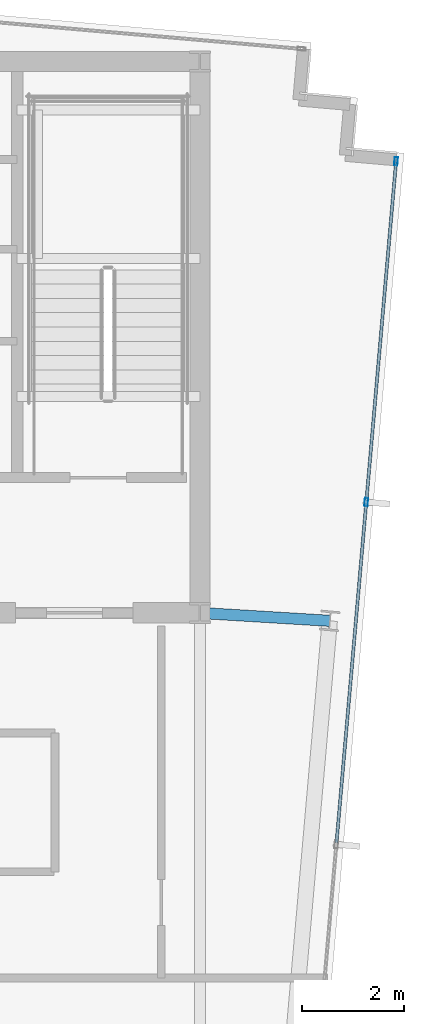
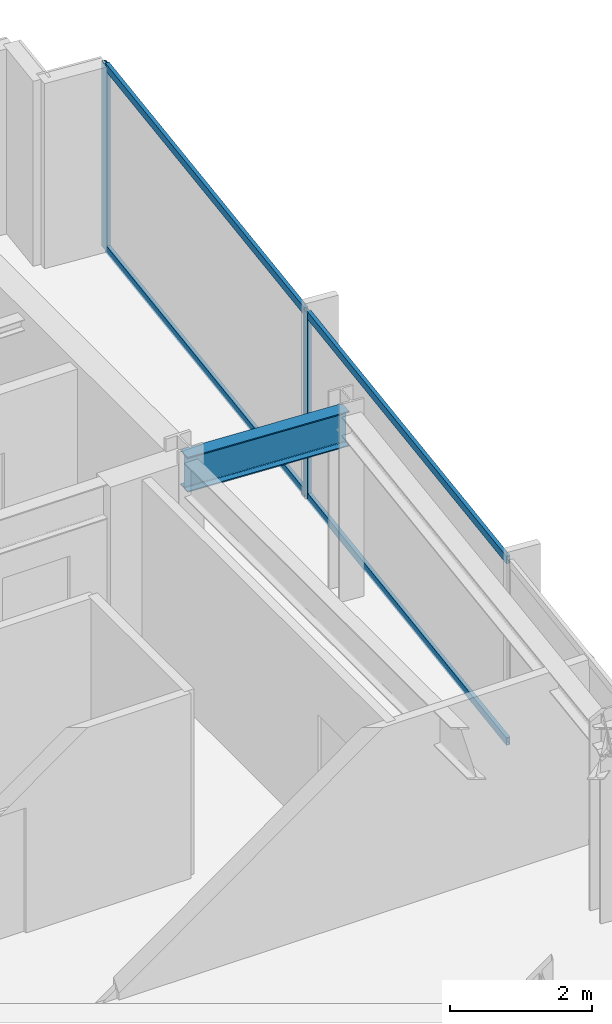
# One storey, part 21 of 32: 6 members, 1 beam, 1 element without a shape of its own.
"""IFC4 building model written with IfcOpenShell, lengths in metres."""

from ifc_helpers import new_model, si_unit, direction, frame, origin, origin_2d, place, context, subcontext, project, spatial, hollow_rectangle, i_section, extrude, material, material_profile, profile_set, type_object, element, aggregate, save


model = new_model("IFC4")

# Units and contexts
model_context = context("Model", 3, precision=1e-05, world=origin(), true_north=direction((0.0, 1.0)))
body_context = subcontext(model_context, "Body", "Model", "MODEL_VIEW")
ifc_project = project(units=[si_unit("LENGTHUNIT", "METRE"), si_unit("AREAUNIT", "SQUARE_METRE"), si_unit("VOLUMEUNIT", "CUBIC_METRE"), si_unit("PLANEANGLEUNIT", "RADIAN"), si_unit("MASSUNIT", "GRAM", prefix="KILO")], contexts=[model_context])

# Site, building, storey
site_placement = place(None, origin())
site = spatial("IfcSite", under=ifc_project, at=site_placement, CompositionType="ELEMENT")
building_placement = place(site_placement, origin())
building = spatial("IfcBuilding", under=site, at=building_placement, Name="Yelkora Congress Tower", CompositionType="ELEMENT")
storey_placement = place(building_placement, frame((0.0, 0.0, 269.300048828125)))
storey = spatial("IfcBuildingStorey", under=building, at=storey_placement, Name="L75", CompositionType="ELEMENT", Elevation=269.300048828125)

# Beam
ifc_material_1 = material(Name="Steel S355J2", Category="steel")
ifc_material_profile_1 = material_profile(ifc_material_1, i_section(OverallWidth=0.219970703125, OverallDepth=0.60009765625, WebThickness=0.011962890625, FlangeThickness=0.01904296875, FilletRadius=0.02392578125, at=origin_2d()), Name="IPE 600")
ifc_profile_set_1 = profile_set([ifc_material_profile_1], Name="Steel S355J2")
beam_type = type_object("IfcBeamType", Name="BM-GIRD-IPE600", PredefinedType="BEAM", material=ifc_profile_set_1)
beam_placement = place(storey_placement, frame((56.302001953125, 35.24560546875, 2.8798828125), z_axis=(-0.99816287892, 0.060587681471, 0.0), x_axis=(-0.060587681471, -0.99816287892, 0.0)))
element("IfcBeam", 1, at=beam_placement, inside=storey, type_object=beam_type, Name="L75 Primary Frame Girder E02", PredefinedType="BEAM", context=body_context, shape_type="SweptSolid", body=[
    extrude(i_section(OverallWidth=0.219970703125, OverallDepth=0.60009765625, WebThickness=0.011962890625, FlangeThickness=0.01904296875, FilletRadius=0.02392578125, at=origin_2d()), origin(), (0.0, 0.0, 1.0), 2.546630859375),
])

# Curtain wall, members
ifc_material_2 = material(Name="Anodised aluminium and insulated glass", Category="aluminium")
curtain_wall_type = type_object("IfcCurtainWallType", Name="CW-SYS-B5", PredefinedType="NOTDEFINED", material=ifc_material_2)
curtain_wall_placement = place(storey_placement, origin())
curtain_wall = element("IfcCurtainWall", 2, at=curtain_wall_placement, inside=storey, type_object=curtain_wall_type, Name="L75 Unitised Curtain Wall 15", PredefinedType="NOTDEFINED")
ifc_material_3 = material(Name="Anodised aluminium 6063-T6", Category="aluminium")
ifc_material_profile_2 = material_profile(ifc_material_3, hollow_rectangle(XDim=0.06494140625, YDim=0.159912109375, WallThickness=0.00390625, at=origin_2d()), Name="ALU 65x160x4")
ifc_profile_set_2 = profile_set([ifc_material_profile_2], Name="Anodised aluminium 6063-T6")
member_type_1 = type_object("IfcMemberType", Name="MEM-ML-B5", PredefinedType="MULLION", material=ifc_profile_set_2)
member_1_placement = place(storey_placement, frame((57.601318359375, 44.243896484375, 0.0), z_axis=(0.0, 0.0, 1.0), x_axis=(0.996194463398, -0.087158425264, 0.0)))
member_1 = element("IfcMember", 3, at=member_1_placement, type_object=member_type_1, Name="CW-B5 mullion 1", PredefinedType="MULLION", context=body_context, shape_type="SweptSolid", body=[
    extrude(hollow_rectangle(XDim=0.06494140625, YDim=0.159912109375, WallThickness=0.00390625, at=origin_2d()), origin(), (0.0, 0.0, 1.0), 3.179931640625),
])
member_2_placement = place(storey_placement, frame((57.017578125, 37.572021484375, 0.0), z_axis=(0.0, 0.0, 1.0), x_axis=(0.996194463398, -0.087158425264, 0.0)))
member_2 = element("IfcMember", 4, at=member_2_placement, type_object=member_type_1, Name="CW-B5 mullion 2", PredefinedType="MULLION", context=body_context, shape_type="SweptSolid", body=[
    extrude(hollow_rectangle(XDim=0.06494140625, YDim=0.159912109375, WallThickness=0.00390625, at=origin_2d()), origin(), (0.0, 0.0, 1.0), 3.179931640625),
])
ifc_material_profile_3 = material_profile(ifc_material_3, hollow_rectangle(XDim=0.06005859375, YDim=0.1298828125, WallThickness=0.00390625, at=origin_2d()), Name="ALU 60x130x4")
ifc_profile_set_3 = profile_set([ifc_material_profile_3], Name="Anodised aluminium 6063-T6")
member_type_2 = type_object("IfcMemberType", Name="MEM-TR-B5", PredefinedType="USERDEFINED", material=ifc_profile_set_3)
member_3_placement = place(storey_placement, frame((57.598388671875, 44.21142578125, 0.030029296875), z_axis=(-0.08716649365, -0.996193757451, 0.0), x_axis=(0.996193757451, -0.08716649365, 0.0)))
member_3 = element("IfcMember", 5, at=member_3_placement, type_object=member_type_2, Name="CW-B5 transom 1.1", ObjectType="TRANSOM", PredefinedType="USERDEFINED", context=body_context, shape_type="SweptSolid", body=[
    extrude(hollow_rectangle(XDim=0.06005859375, YDim=0.1298828125, WallThickness=0.00390625, at=origin_2d()), origin(), (0.0, 0.0, 1.0), 6.63232421875),
])
member_4_placement = place(storey_placement, frame((57.598388671875, 44.21142578125, 3.14990234375), z_axis=(-0.08716649365, -0.996193757451, 0.0), x_axis=(0.996193757451, -0.08716649365, 0.0)))
member_4 = element("IfcMember", 6, at=member_4_placement, type_object=member_type_2, Name="CW-B5 transom 1.2", ObjectType="TRANSOM", PredefinedType="USERDEFINED", context=body_context, shape_type="SweptSolid", body=[
    extrude(hollow_rectangle(XDim=0.06005859375, YDim=0.1298828125, WallThickness=0.00390625, at=origin_2d()), origin(), (0.0, 0.0, 1.0), 6.63232421875),
])
member_5_placement = place(storey_placement, frame((57.0146484375, 37.53955078125, 0.030029296875), z_axis=(-0.087143321513, -0.996195784731, 0.0), x_axis=(0.996195784731, -0.087143321513, 0.0)))
member_5 = element("IfcMember", 7, at=member_5_placement, type_object=member_type_2, Name="CW-B5 transom 2.1", ObjectType="TRANSOM", PredefinedType="USERDEFINED", context=body_context, shape_type="SweptSolid", body=[
    extrude(hollow_rectangle(XDim=0.06005859375, YDim=0.1298828125, WallThickness=0.00390625, at=origin_2d()), origin(), (0.0, 0.0, 1.0), 6.6650390625),
])
member_6_placement = place(storey_placement, frame((57.0146484375, 37.53955078125, 3.14990234375), z_axis=(-0.087143321513, -0.996195784731, 0.0), x_axis=(0.996195784731, -0.087143321513, 0.0)))
member_6 = element("IfcMember", 8, at=member_6_placement, type_object=member_type_2, Name="CW-B5 transom 2.2", ObjectType="TRANSOM", PredefinedType="USERDEFINED", context=body_context, shape_type="SweptSolid", body=[
    extrude(hollow_rectangle(XDim=0.06005859375, YDim=0.1298828125, WallThickness=0.00390625, at=origin_2d()), origin(), (0.0, 0.0, 1.0), 6.6650390625),
])
aggregate(curtain_wall, [member_1, member_2, member_3, member_4, member_5, member_6])

save(model, "model.ifc")
